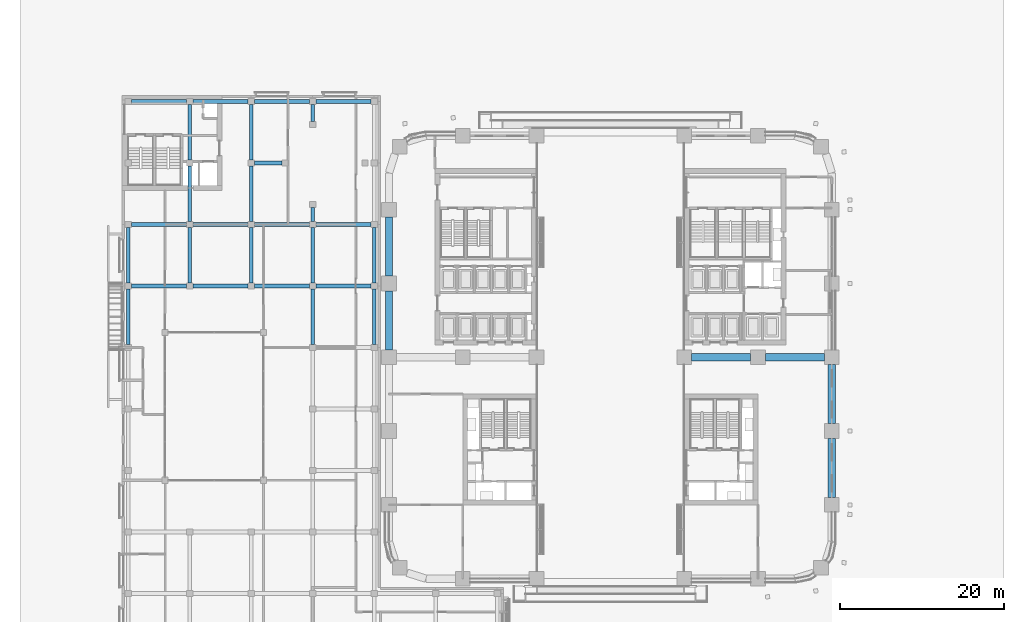
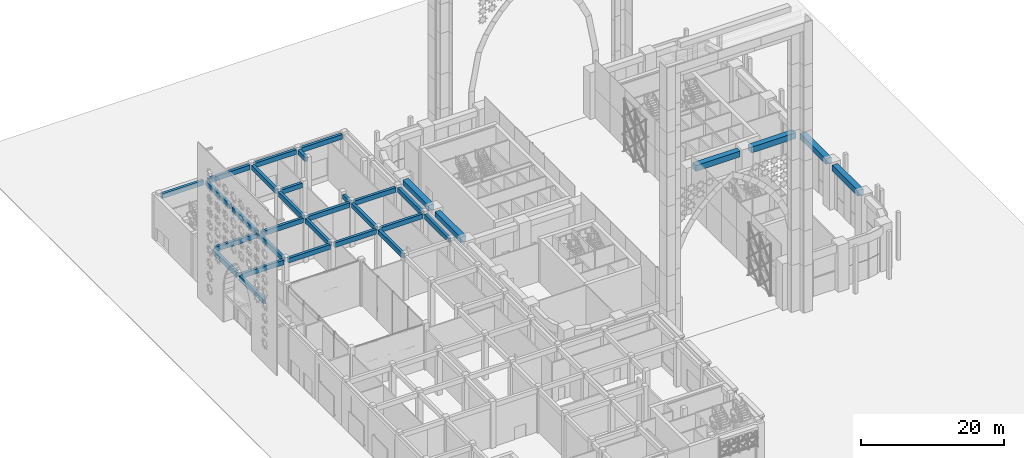
# One storey, part 15 of 64: 33 beams.
"""IFC4 building model written with IfcOpenShell, lengths in metres."""

from ifc_helpers import new_model, si_unit, direction, frame, origin, origin_2d, place, context, subcontext, project, spatial, rectangle, extrude, material, material_profile, profile_set, type_object, element, save


model = new_model("IFC4")

# Units and contexts
model_context = context("Model", 3, precision=1e-05, world=origin(), true_north=direction((0.0, 1.0)))
body_context = subcontext(model_context, "Body", "Model", "MODEL_VIEW")
ifc_project = project(units=[si_unit("LENGTHUNIT", "METRE"), si_unit("AREAUNIT", "SQUARE_METRE"), si_unit("VOLUMEUNIT", "CUBIC_METRE"), si_unit("PLANEANGLEUNIT", "RADIAN"), si_unit("MASSUNIT", "GRAM", prefix="KILO")], contexts=[model_context])

# Site, building, storey
site_placement = place(None, origin())
site = spatial("IfcSite", under=ifc_project, at=site_placement, CompositionType="ELEMENT")
building_placement = place(site_placement, origin())
building = spatial("IfcBuilding", under=site, at=building_placement, Name="Tessera Arch", CompositionType="ELEMENT")
storey_placement = place(building_placement, origin())
storey = spatial("IfcBuildingStorey", under=building, at=storey_placement, Name="L00", CompositionType="ELEMENT", Elevation=0.0)

# Beams
ifc_material_1 = material(Name="Concrete C40/50", Category="concrete")
ifc_material_profile_1 = material_profile(ifc_material_1, rectangle(XDim=0.449951171875, YDim=0.800048828125, at=origin_2d()), Name="Museum beam 450 x 800 Concrete C40/50")
ifc_profile_set_1 = profile_set([ifc_material_profile_1], Name="Concrete C40/50")
beam_type_1 = type_object("IfcBeamType", Name="Museum beam 450 x 800 Concrete C40/50", PredefinedType="BEAM", material=ifc_profile_set_1)
for number, where, z_axis, x_axis, name in (
    (1, (-31.800048828125, 28.574951171875, 7.18994140625), (0.0, 1.0, 0.0), (-1.0, 0.0, 0.0), "Museum beam L00 8"),
    (2, (-31.800048828125, 36.074951171875, 7.18994140625), (0.0, 1.0, 0.0), (-1.0, 0.0, 0.0), "Museum beam L00 9"),
    (3, (-24.300048828125, 36.074951171875, 7.18994140625), (0.0, 1.0, 0.0), (-1.0, 0.0, 0.0), "Museum beam L00 13"),
    (4, (-24.300048828125, 43.574951171875, 7.18994140625), (0.0, 1.0, 0.0), (-1.0, 0.0, 0.0), "Museum beam L00 14"),
    (5, (-24.300048828125, 51.074951171875, 7.18994140625), (0.0, 1.0, 0.0), (-1.0, 0.0, 0.0), "Museum beam L00 15"),
    (6, (-16.800048828125, 36.074951171875, 7.18994140625), (0.0, 1.0, 0.0), (-1.0, 0.0, 0.0), "Museum beam L00 18"),
    (7, (-16.800048828125, 43.574951171875, 7.18994140625), (0.0, 1.0, 0.0), (-1.0, 0.0, 0.0), "Museum beam L00 19"),
    (8, (-16.800048828125, 51.074951171875, 7.18994140625), (0.0, 1.0, 0.0), (-1.0, 0.0, 0.0), "Museum beam L00 20"),
    (9, (-9.300048828125, 28.574951171875, 7.18994140625), (0.0, 1.0, 0.0), (-1.0, 0.0, 0.0), "Museum beam L00 30"),
    (10, (-9.300048828125, 36.074951171875, 7.18994140625), (0.0, 1.0, 0.0), (-1.0, 0.0, 0.0), "Museum beam L00 31"),
):
    element("IfcBeam", number, at=place(storey_placement, frame(where, z_axis=z_axis, x_axis=x_axis)), inside=storey, type_object=beam_type_1, Name=name, PredefinedType="BEAM", context=body_context, shape_type="SweptSolid", body=[
        extrude(rectangle(XDim=0.449951171875, YDim=0.800048828125, at=origin_2d()), origin(), (0.0, 0.0, 1.0), 6.75),
    ])
beam_1_placement = place(storey_placement, frame((-9.300048828125, 43.574951171875, 7.18994140625), z_axis=(0.0, 1.0, 0.0), x_axis=(-1.0, 0.0, 0.0)))
element("IfcBeam", 11, at=beam_1_placement, inside=storey, type_object=beam_type_1, Name="Museum beam L00 32", PredefinedType="BEAM", context=body_context, shape_type="SweptSolid", body=[
    extrude(rectangle(XDim=0.449951171875, YDim=0.800048828125, at=origin_2d()), origin(), (0.0, 0.0, 1.0), 1.675048828125),
])
beam_2_placement = place(storey_placement, frame((-9.300048828125, 55.75, 7.18994140625), z_axis=(0.0, 1.0, 0.0), x_axis=(-1.0, 0.0, 0.0)))
element("IfcBeam", 12, at=beam_2_placement, inside=storey, type_object=beam_type_1, Name="Museum beam L00 33", PredefinedType="BEAM", context=body_context, shape_type="SweptSolid", body=[
    extrude(rectangle(XDim=0.449951171875, YDim=0.800048828125, at=origin_2d()), origin(), (0.0, 0.0, 1.0), 2.074951171875),
])
for number, where, z_axis, x_axis, name in (
    (13, (-1.800048828125, 28.574951171875, 7.18994140625), (0.0, 1.0, 0.0), (-1.0, 0.0, 0.0), "Museum beam L00 42"),
    (14, (-1.800048828125, 36.074951171875, 7.18994140625), (0.0, 1.0, 0.0), (-1.0, 0.0, 0.0), "Museum beam L00 43"),
    (15, (-31.425048828125, 35.699951171875, 7.18994140625), (1.0, 0.0, 0.0), (0.0, 1.0, 0.0), "Museum beam L00 76"),
    (16, (-23.925048828125, 35.699951171875, 7.18994140625), (1.0, 0.0, 0.0), (0.0, 1.0, 0.0), "Museum beam L00 77"),
    (17, (-16.425048828125, 35.699951171875, 7.18994140625), (1.0, 0.0, 0.0), (0.0, 1.0, 0.0), "Museum beam L00 78"),
    (18, (-8.925048828125, 35.699951171875, 7.18994140625), (1.0, 0.0, 0.0), (0.0, 1.0, 0.0), "Museum beam L00 79"),
    (19, (-31.425048828125, 43.199951171875, 7.18994140625), (1.0, 0.0, 0.0), (0.0, 1.0, 0.0), "Museum beam L00 80"),
    (20, (-23.925048828125, 43.199951171875, 7.18994140625), (1.0, 0.0, 0.0), (0.0, 1.0, 0.0), "Museum beam L00 81"),
    (21, (-16.425048828125, 43.199951171875, 7.18994140625), (1.0, 0.0, 0.0), (0.0, 1.0, 0.0), "Museum beam L00 82"),
    (22, (-8.925048828125, 43.199951171875, 7.18994140625), (1.0, 0.0, 0.0), (0.0, 1.0, 0.0), "Museum beam L00 83"),
):
    element("IfcBeam", number, at=place(storey_placement, frame(where, z_axis=z_axis, x_axis=x_axis)), inside=storey, type_object=beam_type_1, Name=name, PredefinedType="BEAM", context=body_context, shape_type="SweptSolid", body=[
        extrude(rectangle(XDim=0.449951171875, YDim=0.800048828125, at=origin_2d()), origin(), (0.0, 0.0, 1.0), 6.75),
    ])
beam_3_placement = place(storey_placement, frame((-16.425048828125, 50.699951171875, 7.18994140625), z_axis=(1.0, 0.0, 0.0), x_axis=(0.0, 1.0, 0.0)))
element("IfcBeam", 23, at=beam_3_placement, inside=storey, type_object=beam_type_1, Name="Museum beam L00 84", PredefinedType="BEAM", context=body_context, shape_type="SweptSolid", body=[
    extrude(rectangle(XDim=0.449951171875, YDim=0.800048828125, at=origin_2d()), origin(), (0.0, 0.0, 1.0), 3.375),
])
for number, where, z_axis, x_axis, name in (
    (24, (-31.425048828125, 58.199951171875, 7.18994140625), (1.0, 0.0, 0.0), (0.0, 1.0, 0.0), "Museum beam L00 85"),
    (25, (-23.925048828125, 58.199951171875, 7.18994140625), (1.0, 0.0, 0.0), (0.0, 1.0, 0.0), "Museum beam L00 86"),
    (26, (-16.425048828125, 58.199951171875, 7.18994140625), (1.0, 0.0, 0.0), (0.0, 1.0, 0.0), "Museum beam L00 87"),
    (27, (-8.925048828125, 58.199951171875, 7.18994140625), (1.0, 0.0, 0.0), (0.0, 1.0, 0.0), "Museum beam L00 88"),
):
    element("IfcBeam", number, at=place(storey_placement, frame(where, z_axis=z_axis, x_axis=x_axis)), inside=storey, type_object=beam_type_1, Name=name, PredefinedType="BEAM", context=body_context, shape_type="SweptSolid", body=[
        extrude(rectangle(XDim=0.449951171875, YDim=0.800048828125, at=origin_2d()), origin(), (0.0, 0.0, 1.0), 6.75),
    ])
ifc_material_2 = material(Name="Concrete C80/95", Category="concrete")
ifc_material_profile_2 = material_profile(ifc_material_2, rectangle(XDim=0.89990234375, YDim=1.0, at=origin_2d()), Name="RC spandrel beam 900 x 1000 Concrete C80/95")
ifc_profile_set_2 = profile_set([ifc_material_profile_2], Name="Concrete C80/95")
beam_type_2 = type_object("IfcBeamType", Name="RC spandrel beam 900 x 1000 Concrete C80/95", PredefinedType="BEAM", material=ifc_profile_set_2)
for number, where, z_axis, x_axis, name in (
    (28, (0.0, 44.10009765625, 7.090087890625), (0.0, -1.0, 0.0), (1.0, 0.0, 0.0), "Spandrel beam L00 W0.0/1"),
    (29, (0.0, 35.10009765625, 7.090087890625), (0.0, -1.0, 0.0), (1.0, 0.0, 0.0), "Spandrel beam L00 W0.0/2"),
    (30, (54.0, 9.89990234375, 7.090087890625), (0.0, 1.0, 0.0), (-1.0, 0.0, 0.0), "Spandrel beam L00 E54.0/0"),
    (31, (54.0, 18.89990234375, 7.090087890625), (0.0, 1.0, 0.0), (-1.0, 0.0, 0.0), "Spandrel beam L00 E54.0/1"),
    (32, (36.89990234375, 27.0, 7.090087890625), (1.0, 0.0, 0.0), (0.0, 1.0, 0.0), "Interface beam L00 I1C5D-C6D"),
    (33, (45.89990234375, 27.0, 7.090087890625), (1.0, 0.0, 0.0), (0.0, 1.0, 0.0), "Interface beam L00 I1C6D-C7D"),
):
    element("IfcBeam", number, at=place(storey_placement, frame(where, z_axis=z_axis, x_axis=x_axis)), inside=storey, type_object=beam_type_2, Name=name, PredefinedType="BEAM", context=body_context, shape_type="SweptSolid", body=[
        extrude(rectangle(XDim=0.89990234375, YDim=1.0, at=origin_2d()), origin(), (0.0, 0.0, 1.0), 7.2001953125),
    ])

save(model, "model.ifc")
